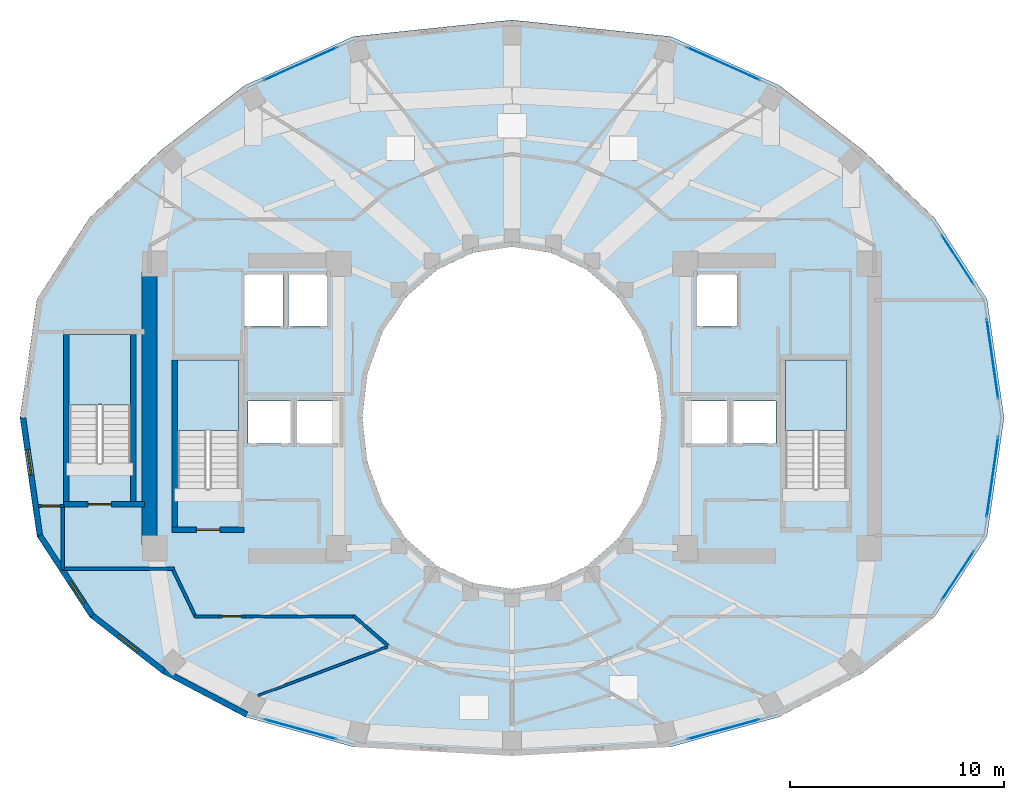
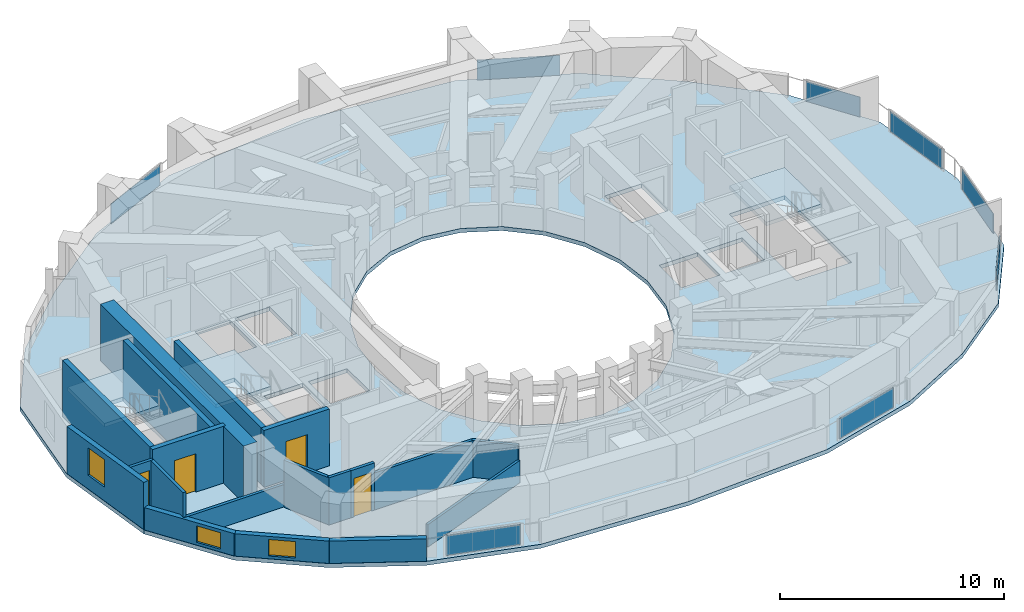
# One storey, part 13 of 20: 19 walls, 8 plates, 4 doors, 4 slabs, 3 windows, 7 openings, 11 elements without a shape of their own.
"""IFC4 building model written with IfcOpenShell, lengths in metres."""

from ifc_helpers import new_model, si_unit, direction, frame, frame_2d, origin, origin_2d, place, context, subcontext, project, spatial, polyline, rectangle, outline, extrude, material, layer, layer_set, type_object, element, fill, aggregate, save


model = new_model("IFC4")

# Units and contexts
model_context = context("Model", 3, precision=1e-05, world=origin(), true_north=direction((0.0, 1.0)))
body_context = subcontext(model_context, "Body", "Model", "MODEL_VIEW")
ifc_project = project(units=[si_unit("LENGTHUNIT", "METRE"), si_unit("AREAUNIT", "SQUARE_METRE"), si_unit("VOLUMEUNIT", "CUBIC_METRE"), si_unit("PLANEANGLEUNIT", "RADIAN"), si_unit("MASSUNIT", "GRAM", prefix="KILO")], contexts=[model_context])

# Site, building, storey
site_placement = place(None, origin())
site = spatial("IfcSite", under=ifc_project, at=site_placement, CompositionType="ELEMENT")
building_placement = place(site_placement, origin())
building = spatial("IfcBuilding", under=site, at=building_placement, Name="Solvane Sanctuary Tower", CompositionType="ELEMENT")
storey_placement = place(building_placement, frame((0.0, 0.0, 159.10009765625)))
storey = spatial("IfcBuildingStorey", under=building, at=storey_placement, Name="L48", CompositionType="ELEMENT", Elevation=159.10009765625)

# Curtain wall, plate
ifc_material_1 = material(Name="Anodised Aluminium 6063-T6", Category="aluminium")
ifc_layer_1 = layer(ifc_material_1, 0.2099609375, Name="Anodised Aluminium 6063-T6")
ifc_layer_set_1 = layer_set([ifc_layer_1], Name="Anodised Aluminium 6063-T6")
curtain_wall_type_1 = type_object("IfcCurtainWallType", Name="Curtain Wall CW-PORTAL", PredefinedType="NOTDEFINED", material=ifc_layer_set_1)
curtain_wall_1_placement = place(storey_placement, origin())
curtain_wall_1 = element("IfcCurtainWall", 1, at=curtain_wall_1_placement, inside=storey, type_object=curtain_wall_type_1, Name="L48 CW-PORTAL Facade Run 00", PredefinedType="NOTDEFINED")
ifc_material_2 = material(Name="Dark Ceramic-Fritted Low-E Glass", Category="glass")
ifc_layer_2 = layer(ifc_material_2, 0.031982421875, Name="Dark Ceramic-Fritted Low-E Glass")
ifc_layer_set_2 = layer_set([ifc_layer_2], Name="Dark Ceramic-Fritted Low-E Glass")
plate_type = type_object("IfcPlateType", Name="Plate PN-FRIT-VIS", PredefinedType="CURTAIN_PANEL", material=ifc_layer_set_2)
plate_1_placement = place(storey_placement, frame((54.465087890625, 25.748291015625, 0.06494140625), z_axis=(0.0, 0.0, 1.0), x_axis=(-0.142247806053, 0.989831077342, 0.0)))
plate_1 = element("IfcPlate", 2, at=plate_1_placement, type_object=plate_type, Name="CW-PORTAL panel 1.1", PredefinedType="CURTAIN_PANEL", context=body_context, shape_type="SweptSolid", body=[
    extrude(rectangle(XDim=3.762939453125, YDim=0.031982421875, at=origin_2d()), origin(), (0.0, 0.0, 1.0), 1.090087890625),
])
aggregate(curtain_wall_1, [plate_1])

curtain_wall_2_placement = place(storey_placement, origin())
curtain_wall_2 = element("IfcCurtainWall", 3, at=curtain_wall_2_placement, inside=storey, type_object=curtain_wall_type_1, Name="L48 CW-PORTAL Facade Run 01", PredefinedType="NOTDEFINED")
plate_2_placement = place(storey_placement, frame((52.8447265625, 30.39013671875, 0.06494140625), z_axis=(0.0, 0.0, 1.0), x_axis=(-0.543340806728, 0.839512220128, 0.0)))
plate_2 = element("IfcPlate", 4, at=plate_2_placement, type_object=plate_type, Name="CW-PORTAL panel 1.1", PredefinedType="CURTAIN_PANEL", context=body_context, shape_type="SweptSolid", body=[
    extrude(rectangle(XDim=2.72119140625, YDim=0.031982421875, at=origin_2d()), origin(), (0.0, 0.0, 1.0), 1.090087890625),
])
aggregate(curtain_wall_2, [plate_2])

ifc_layer_3 = layer(ifc_material_1, 0.179931640625, Name="Anodised Aluminium 6063-T6")
ifc_layer_set_3 = layer_set([ifc_layer_3], Name="Anodised Aluminium 6063-T6")
curtain_wall_type_2 = type_object("IfcCurtainWallType", Name="Curtain Wall CW-FRIT-Z2", PredefinedType="NOTDEFINED", material=ifc_layer_set_3)
curtain_wall_3_placement = place(storey_placement, origin())
curtain_wall_3 = element("IfcCurtainWall", 5, at=curtain_wall_3_placement, inside=storey, type_object=curtain_wall_type_2, Name="L48 CW-FRIT-Z2 Facade Run 04", PredefinedType="NOTDEFINED")
plate_3_placement = place(storey_placement, frame((41.88916015625, 39.552001953125, 0.06494140625), z_axis=(0.0, 0.0, 1.0), x_axis=(-0.912350220676, 0.409410643281, 0.0)))
plate_3 = element("IfcPlate", 6, at=plate_3_placement, type_object=plate_type, Name="CW-FRIT-Z2 panel 1.1", PredefinedType="CURTAIN_PANEL", context=body_context, shape_type="SweptSolid", body=[
    extrude(rectangle(XDim=3.742919921875, YDim=0.031982421875, at=origin_2d()), origin(), (0.0, 0.0, 1.0), 1.090087890625),
])
aggregate(curtain_wall_3, [plate_3])

curtain_wall_4_placement = place(storey_placement, origin())
curtain_wall_4 = element("IfcCurtainWall", 7, at=curtain_wall_4_placement, inside=storey, type_object=curtain_wall_type_2, Name="L48 CW-FRIT-Z2 Facade Run 07", PredefinedType="NOTDEFINED")
plate_4_placement = place(storey_placement, frame((22.11083984375, 39.552001953125, 0.06494140625), z_axis=(0.0, 0.0, 1.0), x_axis=(-0.912350220676, -0.409410643281, 0.0)))
plate_4 = element("IfcPlate", 8, at=plate_4_placement, type_object=plate_type, Name="CW-FRIT-Z2 panel 1.1", PredefinedType="CURTAIN_PANEL", context=body_context, shape_type="SweptSolid", body=[
    extrude(rectangle(XDim=3.742919921875, YDim=0.031982421875, at=origin_2d()), origin(), (0.0, 0.0, 1.0), 1.090087890625),
])
aggregate(curtain_wall_4, [plate_4])

curtain_wall_5_placement = place(storey_placement, origin())
curtain_wall_5 = element("IfcCurtainWall", 9, at=curtain_wall_5_placement, inside=storey, type_object=curtain_wall_type_2, Name="L48 CW-FRIT-Z2 Facade Run 16", PredefinedType="NOTDEFINED")
plate_5_placement = place(storey_placement, frame((22.11083984375, 8.43994140625, 0.06494140625), z_axis=(0.0, 0.0, 1.0), x_axis=(0.963967053183, -0.266021653965, 0.0)))
plate_5 = element("IfcPlate", 10, at=plate_5_placement, type_object=plate_type, Name="CW-FRIT-Z2 panel 1.1", PredefinedType="CURTAIN_PANEL", context=body_context, shape_type="SweptSolid", body=[
    extrude(rectangle(XDim=3.44677734375, YDim=0.031982421875, at=origin_2d()), origin(), (0.0, 0.0, 1.0), 1.090087890625),
])
aggregate(curtain_wall_5, [plate_5])

curtain_wall_6_placement = place(storey_placement, origin())
curtain_wall_6 = element("IfcCurtainWall", 11, at=curtain_wall_6_placement, inside=storey, type_object=curtain_wall_type_2, Name="L48 CW-FRIT-Z2 Facade Run 19", PredefinedType="NOTDEFINED")
plate_6_placement = place(storey_placement, frame((41.88916015625, 8.43994140625, 0.06494140625), z_axis=(0.0, 0.0, 1.0), x_axis=(0.963967053183, 0.266021653965, 0.0)))
plate_6 = element("IfcPlate", 12, at=plate_6_placement, type_object=plate_type, Name="CW-FRIT-Z2 panel 1.1", PredefinedType="CURTAIN_PANEL", context=body_context, shape_type="SweptSolid", body=[
    extrude(rectangle(XDim=3.44677734375, YDim=0.031982421875, at=origin_2d()), origin(), (0.0, 0.0, 1.0), 1.090087890625),
])
aggregate(curtain_wall_6, [plate_6])

curtain_wall_7_placement = place(storey_placement, origin())
curtain_wall_7 = element("IfcCurtainWall", 13, at=curtain_wall_7_placement, inside=storey, type_object=curtain_wall_type_1, Name="L48 CW-PORTAL Facade Run 22", PredefinedType="NOTDEFINED")
plate_7_placement = place(storey_placement, frame((52.8447265625, 15.630126953125, 0.06494140625), z_axis=(0.0, 0.0, 1.0), x_axis=(0.547432614507, 0.836849767027, 0.0)))
plate_7 = element("IfcPlate", 14, at=plate_7_placement, type_object=plate_type, Name="CW-PORTAL panel 1.1", PredefinedType="CURTAIN_PANEL", context=body_context, shape_type="SweptSolid", body=[
    extrude(rectangle(XDim=2.6875, YDim=0.031982421875, at=origin_2d()), origin(), (0.0, 0.0, 1.0), 1.090087890625),
])
aggregate(curtain_wall_7, [plate_7])

curtain_wall_8_placement = place(storey_placement, origin())
curtain_wall_8 = element("IfcCurtainWall", 15, at=curtain_wall_8_placement, inside=storey, type_object=curtain_wall_type_1, Name="L48 CW-PORTAL Facade Run 23", PredefinedType="NOTDEFINED")
plate_8_placement = place(storey_placement, frame((54.465087890625, 20.251708984375, 0.06494140625), z_axis=(0.0, 0.0, 1.0), x_axis=(0.142247806053, 0.989831077342, 0.0)))
plate_8 = element("IfcPlate", 16, at=plate_8_placement, type_object=plate_type, Name="CW-PORTAL panel 1.1", PredefinedType="CURTAIN_PANEL", context=body_context, shape_type="SweptSolid", body=[
    extrude(rectangle(XDim=3.762939453125, YDim=0.031982421875, at=origin_2d()), origin(), (0.0, 0.0, 1.0), 1.090087890625),
])
aggregate(curtain_wall_8, [plate_8])

# Stair, slab
ifc_material_3 = material(Name="Concrete C45/55", Category="concrete")
stair_type = type_object("IfcStairType", Name="Stair ST-TOW", PredefinedType="HALF_TURN_STAIR", material=ifc_material_3)
stair_1_placement = place(storey_placement, origin())
stair_1 = element("IfcStair", 17, at=stair_1_placement, inside=storey, type_object=stair_type, Name="L48 Exit Stair ST-1 West Core", PredefinedType="HALF_TURN_STAIR")
ifc_layer_4 = layer(ifc_material_3, 0.199951171875, Name="Concrete C45/55")
ifc_layer_set_4 = layer_set([ifc_layer_4], Name="Concrete C45/55")
slab_type_1 = type_object("IfcSlabType", Name="Slab SL-LAND-180", PredefinedType="LANDING", material=ifc_layer_set_4)
slab_1_placement = place(storey_placement, frame((0.0, 0.0, 1.349853515625)))
slab_1 = element("IfcSlab", 18, at=slab_1_placement, type_object=slab_type_1, Name="ST-1 landing 1", PredefinedType="LANDING", context=body_context, shape_type="SweptSolid", body=[
    extrude(outline(polyline([(19.219970703125, 22.39990234375), (19.219970703125, 25.699951171875), (16.360107421875, 25.699951171875), (16.360107421875, 22.39990234375), (19.219970703125, 22.39990234375)])), origin(), (0.0, 0.0, 1.0), 0.199951171875),
])
aggregate(stair_1, [slab_1])

stair_2_placement = place(storey_placement, origin())
stair_2 = element("IfcStair", 19, at=stair_2_placement, inside=storey, type_object=stair_type, Name="L48 Exit Stair ST-2 East Core", PredefinedType="HALF_TURN_STAIR")
slab_2_placement = place(storey_placement, frame((0.0, 0.0, 1.349853515625)))
slab_2 = element("IfcSlab", 20, at=slab_2_placement, type_object=slab_type_1, Name="ST-2 landing 1", PredefinedType="LANDING", context=body_context, shape_type="SweptSolid", body=[
    extrude(outline(polyline([(47.639892578125, 22.39990234375), (47.639892578125, 25.699951171875), (44.780029296875, 25.699951171875), (44.780029296875, 22.39990234375), (47.639892578125, 22.39990234375)])), origin(), (0.0, 0.0, 1.0), 0.199951171875),
])
aggregate(stair_2, [slab_2])

stair_3_placement = place(storey_placement, origin())
stair_3 = element("IfcStair", 21, at=stair_3_placement, inside=storey, type_object=stair_type, Name="L48 Exit Stair ST-3 Pilgrim Tower Stair", PredefinedType="HALF_TURN_STAIR")
slab_3_placement = place(storey_placement, frame((0.0, 0.0, 1.349853515625)))
slab_3 = element("IfcSlab", 22, at=slab_3_placement, type_object=slab_type_1, Name="ST-3 landing 1", PredefinedType="LANDING", context=body_context, shape_type="SweptSolid", body=[
    extrude(outline(polyline([(14.159912109375, 23.60009765625), (14.159912109375, 26.89990234375), (11.300048828125, 26.89990234375), (11.300048828125, 23.60009765625), (14.159912109375, 23.60009765625)])), origin(), (0.0, 0.0, 1.0), 0.199951171875),
])
aggregate(stair_3, [slab_3])

# Slab
ifc_layer_5 = layer(ifc_material_3, 0.219970703125, Name="Concrete C45/55")
ifc_layer_set_5 = layer_set([ifc_layer_5], Name="Concrete C45/55")
slab_type_2 = type_object("IfcSlabType", Name="Slab SL-TOW-220", PredefinedType="FLOOR", material=ifc_layer_set_5)
slab_4_placement = place(storey_placement, frame((0.0, 0.0, -0.22021484375)))
element("IfcSlab", 23, at=slab_4_placement, inside=storey, type_object=slab_type_2, Name="L48 Primary Structural Slab", PredefinedType="FLOOR", context=body_context, shape_type="SweptSolid", body=[
    extrude(outline(polyline([(55.0, 23.0), (54.205322265625, 28.54150390625), (51.7392578125, 32.360107421875), (48.368896484375, 35.54345703125), (44.489013671875, 38.5458984375), (39.410400390625, 40.82958984375), (32.0, 41.60009765625), (24.589599609375, 40.82958984375), (19.510986328125, 38.5458984375), (15.631103515625, 35.54345703125), (12.2607421875, 32.360107421875), (9.794677734375, 28.54150390625), (9.0, 23.0), (9.794677734375, 17.45849609375), (12.2607421875, 13.6806640625), (15.631103515625, 11.061279296875), (19.510986328125, 9.022705078125), (24.589599609375, 7.6181640625), (32.0, 7.199951171875), (39.410400390625, 7.6181640625), (44.489013671875, 9.022705078125), (48.368896484375, 11.061279296875), (51.7392578125, 13.6806640625), (54.205322265625, 17.45849609375), (55.0, 23.0)]), holes=[polyline([(38.761474609375, 20.929443359375), (38.062255859375, 19.0), (36.94970703125, 17.343017578125), (35.5, 16.07177734375), (33.811767578125, 15.272705078125), (32.0, 15.0), (30.188232421875, 15.272705078125), (28.5, 16.07177734375), (27.05029296875, 17.343017578125), (25.937744140625, 19.0), (25.238525390625, 20.929443359375), (25.0, 23.0), (25.238525390625, 25.070556640625), (25.937744140625, 27.0), (27.05029296875, 28.656982421875), (28.5, 29.92822265625), (30.188232421875, 30.727294921875), (32.0, 31.0), (33.811767578125, 30.727294921875), (35.5, 29.92822265625), (36.94970703125, 28.656982421875), (38.062255859375, 27.0), (38.761474609375, 25.070556640625), (39.0, 23.0), (38.761474609375, 20.929443359375)]), polyline([(16.360107421875, 19.699951171875), (16.360107421875, 25.699951171875), (19.219970703125, 25.699951171875), (19.219970703125, 19.699951171875), (16.360107421875, 19.699951171875)]), polyline([(44.780029296875, 19.699951171875), (44.780029296875, 25.699951171875), (47.639892578125, 25.699951171875), (47.639892578125, 19.699951171875), (44.780029296875, 19.699951171875)]), polyline([(11.300048828125, 20.89990234375), (11.300048828125, 26.89990234375), (14.159912109375, 26.89990234375), (14.159912109375, 20.89990234375), (11.300048828125, 20.89990234375)]), polyline([(19.64990234375, 23.800048828125), (21.64990234375, 23.800048828125), (21.64990234375, 21.800048828125), (19.64990234375, 21.800048828125), (19.64990234375, 23.800048828125)]), polyline([(42.35009765625, 23.800048828125), (44.35009765625, 23.800048828125), (44.35009765625, 21.800048828125), (42.35009765625, 21.800048828125), (42.35009765625, 23.800048828125)]), polyline([(21.949951171875, 23.800048828125), (23.949951171875, 23.800048828125), (23.949951171875, 21.800048828125), (21.949951171875, 21.800048828125), (21.949951171875, 23.800048828125)]), polyline([(40.050048828125, 23.800048828125), (42.050048828125, 23.800048828125), (42.050048828125, 21.800048828125), (40.050048828125, 21.800048828125), (40.050048828125, 23.800048828125)]), polyline([(19.5, 29.699951171875), (21.300048828125, 29.699951171875), (21.300048828125, 27.300048828125), (19.5, 27.300048828125), (19.5, 29.699951171875)]), polyline([(21.550048828125, 29.699951171875), (23.35009765625, 29.699951171875), (23.35009765625, 27.300048828125), (21.550048828125, 27.300048828125), (21.550048828125, 29.699951171875)]), polyline([(40.64990234375, 29.699951171875), (42.550048828125, 29.699951171875), (42.550048828125, 27.300048828125), (40.64990234375, 27.300048828125), (40.64990234375, 29.699951171875)])]), origin(), (0.0, 0.0, 1.0), 0.22021484375),
])

# Wall
ifc_material_4 = material(Name="Concrete C60/75", Category="concrete")
ifc_layer_6 = layer(ifc_material_4, 0.699951171875, Name="Concrete C60/75")
ifc_layer_set_6 = layer_set([ifc_layer_6], Name="Concrete C60/75")
wall_type_1 = type_object("IfcWallType", Name="Wall W-CORE-700", PredefinedType="SHEAR", material=ifc_layer_set_6)
wall_1_placement = place(storey_placement, frame((15.050048828125, 17.050048828125, 0.0), z_axis=(0.0, 0.0, 1.0), x_axis=(0.0, 1.0, 0.0)))
element("IfcWall", 24, at=wall_1_placement, inside=storey, type_object=wall_type_1, Name="L48 Core Shear Wall WC-W", PredefinedType="SHEAR", context=body_context, shape_type="SweptSolid", body=[
    extrude(rectangle(XDim=12.800048828125, YDim=0.699951171875, at=frame_2d((6.39990234375, 0.0))), origin(), (0.0, 0.0, 1.0), 3.099853515625),
])

# Wall, opening, door
ifc_material_5 = material(Name="Acoustic Gypsum Partition Board")
ifc_layer_7 = layer(ifc_material_5, 0.14990234375, Name="Acoustic Gypsum Partition Board")
ifc_layer_set_7 = layer_set([ifc_layer_7], Name="Acoustic Gypsum Partition Board")
wall_type_2 = type_object("IfcWallType", Name="Wall W-CORR-150", PredefinedType="PARTITIONING", material=ifc_layer_set_7)
wall_2_placement = place(storey_placement, frame((9.869873046875, 18.8798828125, 0.0), z_axis=(0.0, 0.0, 1.0), x_axis=(1.0, 0.0, 0.0)))
wall_2 = element("IfcWall", 25, at=wall_2_placement, inside=storey, type_object=wall_type_2, Name="L48 SW Corner Closer 1", PredefinedType="PARTITIONING", context=body_context, shape_type="SweptSolid", body=[
    extrude(rectangle(XDim=1.170166015625, YDim=0.14990234375, at=frame_2d((0.5849609375, 0.0))), origin(), (0.0, 0.0, 1.0), 2.574951171875),
])
opening_1_placement = place(wall_2_placement, frame((0.139892578125, 0.0, 0.0)))
opening_1 = element("IfcOpeningElement", 26, at=opening_1_placement, cuts=wall_2, Name="Opening D-L48-14", PredefinedType="OPENING", context=body_context, shape_type="SweptSolid", body=[
    extrude(rectangle(XDim=0.85009765625, YDim=2.050048828125, at=frame_2d((0.425048828125, 1.02490234375))), frame((0.0, 0.0849609375, 0.0), z_axis=(0.0, -1.0, 0.0), x_axis=(1.0, 0.0, 0.0)), (0.0, 0.0, 1.0), 0.169921875),
])
ifc_material_6 = material(Name="Architectural Stainless Steel 316", Category="steel")
door_type_1 = type_object("IfcDoorType", Name="Door D-RISER", OperationType="NOTDEFINED", PredefinedType="DOOR", material=ifc_material_6)
door_1_placement = place(opening_1_placement, origin())
door_1 = element("IfcDoor", 27, at=door_1_placement, inside=storey, type_object=door_type_1, Name="L48 West Lookout Study Door", OperationType="SINGLE_SWING_LEFT", OverallHeight=2.050048828125, OverallWidth=0.85009765625, PredefinedType="DOOR", context=body_context, shape_type="SweptSolid", body=[
    extrude(rectangle(XDim=0.85009765625, YDim=2.050048828125, at=frame_2d((0.425048828125, 1.02490234375))), frame((0.0, 0.02490234375, 0.0), z_axis=(0.0, -1.0, 0.0), x_axis=(1.0, 0.0, 0.0)), (0.0, 0.0, 1.0), 0.050048828125),
])
fill(opening_1, door_1)

# Walls
wall_3_placement = place(storey_placement, frame((11.0, 15.909912109375, 0.0), z_axis=(0.0, 0.0, 1.0), x_axis=(0.0, 1.0, 0.0)))
element("IfcWall", 28, at=wall_3_placement, inside=storey, type_object=wall_type_2, Name="L48 SW Corner Closer 2", PredefinedType="PARTITIONING", context=body_context, shape_type="SweptSolid", body=[
    extrude(rectangle(XDim=3.010009765625, YDim=0.14990234375, at=frame_2d((1.5048828125, 0.0))), origin(), (0.0, 0.0, 1.0), 2.574951171875),
])
wall_4_placement = place(storey_placement, frame((10.9599609375, 15.949951171875, 0.0), z_axis=(0.0, 0.0, 1.0), x_axis=(1.0, 0.0, 0.0)))
element("IfcWall", 29, at=wall_4_placement, inside=storey, type_object=wall_type_2, Name="L48 SW Corner Closer 3", PredefinedType="PARTITIONING", context=body_context, shape_type="SweptSolid", body=[
    extrude(rectangle(XDim=5.260009765625, YDim=0.14990234375, at=frame_2d((2.6298828125, 0.0))), origin(), (0.0, 0.0, 1.0), 1.219970703125),
])
wall_5_placement = place(storey_placement, frame((26.193359375, 12.35791015625, 0.0), z_axis=(0.0, 0.0, 1.0), x_axis=(-0.756055312247, 0.654507727092, 0.0)))
element("IfcWall", 30, at=wall_5_placement, inside=storey, type_object=wall_type_2, Name="L48 SW Corner Throat Wall", PredefinedType="PARTITIONING", context=body_context, shape_type="SweptSolid", body=[
    extrude(rectangle(XDim=2.11083984375, YDim=0.14990234375, at=frame_2d((1.055419921875, 0.0))), origin(), (0.0, 0.0, 1.0), 2.018798828125),
])
wall_6_placement = place(storey_placement, frame((17.14990234375, 13.719970703125, 0.0), z_axis=(0.0, 0.0, 1.0), x_axis=(1.0, 0.0, 0.0)))
element("IfcWall", 31, at=wall_6_placement, inside=storey, type_object=wall_type_2, Name="L48 SW Corner Corridor Wall", PredefinedType="PARTITIONING", context=body_context, shape_type="SweptSolid", body=[
    extrude(rectangle(XDim=1.14013671875, YDim=0.14990234375, at=frame_2d((0.570068359375, 0.0))), origin(), (0.0, 0.0, 1.0), 2.574951171875),
])

# Wall, opening, door
wall_7_placement = place(storey_placement, frame((18.2900390625, 13.719970703125, 0.0), z_axis=(0.0, 0.0, 1.0), x_axis=(1.0, 0.0, 0.0)))
wall_7 = element("IfcWall", 32, at=wall_7_placement, inside=storey, type_object=wall_type_2, Name="L48 SW Corner Corridor Wall", PredefinedType="PARTITIONING", context=body_context, shape_type="SweptSolid", body=[
    extrude(rectangle(XDim=1.219970703125, YDim=0.14990234375, at=frame_2d((0.60986328125, 0.0))), origin(), (0.0, 0.0, 1.0), 2.574951171875),
])
opening_2_placement = place(wall_7_placement, frame((0.159912109375, 0.0, 0.0)))
opening_2 = element("IfcOpeningElement", 33, at=opening_2_placement, cuts=wall_7, Name="Opening D-L48-15", PredefinedType="OPENING", context=body_context, shape_type="SweptSolid", body=[
    extrude(rectangle(XDim=0.89990234375, YDim=2.10009765625, at=frame_2d((0.449951171875, 1.050048828125))), frame((0.0, 0.0849609375, 0.0), z_axis=(0.0, -1.0, 0.0), x_axis=(1.0, 0.0, 0.0)), (0.0, 0.0, 1.0), 0.169921875),
])
ifc_material_7 = material(Name="Engineered Tropical Hardwood", Category="wood")
door_type_2 = type_object("IfcDoorType", Name="Door D-WET-900", OperationType="NOTDEFINED", PredefinedType="DOOR", material=ifc_material_7)
door_2_placement = place(opening_2_placement, origin())
door_2 = element("IfcDoor", 34, at=door_2_placement, inside=storey, type_object=door_type_2, Name="L48 SW Corner Salon Door", OperationType="SINGLE_SWING_RIGHT", OverallHeight=2.10009765625, OverallWidth=0.89990234375, PredefinedType="DOOR", context=body_context, shape_type="SweptSolid", body=[
    extrude(rectangle(XDim=0.89990234375, YDim=2.10009765625, at=frame_2d((0.449951171875, 1.050048828125))), frame((0.0, 0.02490234375, 0.0), z_axis=(0.0, -1.0, 0.0), x_axis=(1.0, 0.0, 0.0)), (0.0, 0.0, 1.0), 0.050048828125),
])
fill(opening_2, door_2)

# Walls
wall_8_placement = place(storey_placement, frame((19.510009765625, 13.719970703125, 0.0), z_axis=(0.0, 0.0, 1.0), x_axis=(1.0, 0.0, 0.0)))
element("IfcWall", 35, at=wall_8_placement, inside=storey, type_object=wall_type_2, Name="L48 SW Corner Corridor Wall", PredefinedType="PARTITIONING", context=body_context, shape_type="SweptSolid", body=[
    extrude(rectangle(XDim=5.159912109375, YDim=0.14990234375, at=frame_2d((2.580078125, 0.0))), origin(), (0.0, 0.0, 1.0), 2.018798828125),
])
wall_9_placement = place(storey_placement, frame((17.2216796875, 13.6748046875, 0.0), z_axis=(0.0, 0.0, 1.0), x_axis=(-0.431973389813, 0.901886351207, 0.0)))
element("IfcWall", 36, at=wall_9_placement, inside=storey, type_object=wall_type_2, Name="L48 SW Corner Wing Wall", PredefinedType="PARTITIONING", context=body_context, shape_type="SweptSolid", body=[
    extrude(rectangle(XDim=2.45166015625, YDim=0.14990234375, at=frame_2d((1.225830078125, 0.0))), origin(), (0.0, 0.0, 1.0), 2.574951171875),
])

# Wall, opening, window
ifc_material_8 = material(Name="Precast concrete C40/50", Category="concrete")
ifc_layer_8 = layer(ifc_material_8, 0.260009765625, Name="Precast concrete C40/50")
ifc_layer_set_8 = layer_set([ifc_layer_8], Name="Precast concrete C40/50")
wall_type_3 = type_object("IfcWallType", Name="Wall W-EXT-250", PredefinedType="STANDARD", material=ifc_layer_set_8)
wall_10_placement = place(storey_placement, frame((9.139892578125, 23.0, 0.0), z_axis=(0.0, 0.0, 1.0), x_axis=(0.142227632286, -0.989833976288, 0.0)))
wall_10 = element("IfcWall", 37, at=wall_10_placement, inside=storey, type_object=wall_type_3, Name="L48 Ceramic-Printed Facade Wall 12", PredefinedType="STANDARD", context=body_context, shape_type="SweptSolid", body=[
    extrude(rectangle(XDim=5.552978515625, YDim=0.260009765625, at=frame_2d((2.7763671875, 0.0))), origin(), (0.0, 0.0, 1.0), 2.56982421875),
])
opening_3_placement = place(wall_10_placement, frame((1.506103515625, 0.0, 0.75)))
opening_3 = element("IfcOpeningElement", 38, at=opening_3_placement, cuts=wall_10, Name="Opening WN-OPER-1200", PredefinedType="OPENING", context=body_context, shape_type="SweptSolid", body=[
    extrude(rectangle(XDim=1.199951171875, YDim=1.5, at=frame_2d((0.60009765625, 0.75))), frame((0.0, 0.139892578125, 0.0), z_axis=(0.0, -1.0, 0.0), x_axis=(1.0, 0.0, 0.0)), (0.0, 0.0, 1.0), 0.280029296875),
])
window_type = type_object("IfcWindowType", Name="Window WN-OPER-1200", PartitioningType="SINGLE_PANEL", PredefinedType="WINDOW", material=ifc_material_2)
window_1_placement = place(opening_3_placement, origin())
window_1 = element("IfcWindow", 39, at=window_1_placement, inside=storey, type_object=window_type, Name="L48 Operable Facade Window 12", OverallHeight=1.5, OverallWidth=1.199951171875, PartitioningType="SINGLE_PANEL", PredefinedType="WINDOW", context=body_context, shape_type="SweptSolid", body=[
    extrude(rectangle(XDim=1.199951171875, YDim=1.5, at=frame_2d((0.60009765625, 0.75))), frame((0.0, 0.030029296875, 0.0), z_axis=(0.0, -1.0, 0.0), x_axis=(1.0, 0.0, 0.0)), (0.0, 0.0, 1.0), 0.06005859375),
])
fill(opening_3, window_1)

wall_11_placement = place(storey_placement, frame((9.9296875, 17.50341796875, 0.0), z_axis=(0.0, 0.0, 1.0), x_axis=(0.547456494366, -0.836834145322, 0.0)))
wall_11 = element("IfcWall", 40, at=wall_11_placement, inside=storey, type_object=wall_type_3, Name="L48 Ceramic-Printed Facade Wall 13", PredefinedType="STANDARD", context=body_context, shape_type="SweptSolid", body=[
    extrude(rectangle(XDim=4.477294921875, YDim=0.260009765625, at=frame_2d((2.23876953125, 0.0))), origin(), (0.0, 0.0, 1.0), 1.219970703125),
])
opening_4_placement = place(wall_11_placement, frame((2.59130859375, 0.0, 0.14990234375)))
opening_4 = element("IfcOpeningElement", 41, at=opening_4_placement, cuts=wall_11, Name="Opening WN-OPER-1200", PredefinedType="OPENING", context=body_context, shape_type="SweptSolid", body=[
    extrude(rectangle(XDim=1.199951171875, YDim=0.89990234375, at=frame_2d((0.60009765625, 0.449951171875))), frame((0.0, 0.139892578125, 0.0), z_axis=(0.0, -1.0, 0.0), x_axis=(1.0, 0.0, 0.0)), (0.0, 0.0, 1.0), 0.280029296875),
])
window_2_placement = place(opening_4_placement, origin())
window_2 = element("IfcWindow", 42, at=window_2_placement, inside=storey, type_object=window_type, Name="L48 Operable Facade Window 13", OverallHeight=0.89990234375, OverallWidth=1.199951171875, PartitioningType="SINGLE_PANEL", PredefinedType="WINDOW", context=body_context, shape_type="SweptSolid", body=[
    extrude(rectangle(XDim=1.199951171875, YDim=0.89990234375, at=frame_2d((0.60009765625, 0.449951171875))), frame((0.0, 0.030029296875, 0.0), z_axis=(0.0, -1.0, 0.0), x_axis=(1.0, 0.0, 0.0)), (0.0, 0.0, 1.0), 0.06005859375),
])
fill(opening_4, window_2)

wall_12_placement = place(storey_placement, frame((12.380859375, 13.756591796875, 0.0), z_axis=(0.0, 0.0, 1.0), x_axis=(0.790185650662, -0.612867552973, 0.0)))
wall_12 = element("IfcWall", 43, at=wall_12_placement, inside=storey, type_object=wall_type_3, Name="L48 Ceramic-Printed Facade Wall 14", PredefinedType="STANDARD", context=body_context, shape_type="SweptSolid", body=[
    extrude(rectangle(XDim=4.2392578125, YDim=0.260009765625, at=frame_2d((2.11962890625, 0.0))), origin(), (0.0, 0.0, 1.0), 1.219970703125),
])
opening_5_placement = place(wall_12_placement, frame((1.51953125, 0.0, 0.14990234375)))
opening_5 = element("IfcOpeningElement", 44, at=opening_5_placement, cuts=wall_12, Name="Opening WN-OPER-1200", PredefinedType="OPENING", context=body_context, shape_type="SweptSolid", body=[
    extrude(rectangle(XDim=1.199951171875, YDim=0.89990234375, at=frame_2d((0.60009765625, 0.449951171875))), frame((0.0, 0.139892578125, 0.0), z_axis=(0.0, -1.0, 0.0), x_axis=(1.0, 0.0, 0.0)), (0.0, 0.0, 1.0), 0.280029296875),
])
window_3_placement = place(opening_5_placement, origin())
window_3 = element("IfcWindow", 45, at=window_3_placement, inside=storey, type_object=window_type, Name="L48 Operable Facade Window 14", OverallHeight=0.89990234375, OverallWidth=1.199951171875, PartitioningType="SINGLE_PANEL", PredefinedType="WINDOW", context=body_context, shape_type="SweptSolid", body=[
    extrude(rectangle(XDim=1.199951171875, YDim=0.89990234375, at=frame_2d((0.60009765625, 0.449951171875))), frame((0.0, 0.030029296875, 0.0), z_axis=(0.0, -1.0, 0.0), x_axis=(1.0, 0.0, 0.0)), (0.0, 0.0, 1.0), 0.06005859375),
])
fill(opening_5, window_3)

# Walls
wall_13_placement = place(storey_placement, frame((15.730712890625, 11.158447265625, 0.0), z_axis=(0.0, 0.0, 1.0), x_axis=(0.885660265226, -0.464333818065, 0.0)))
element("IfcWall", 46, at=wall_13_placement, inside=storey, type_object=wall_type_3, Name="L48 Ceramic-Printed Facade Wall 15", PredefinedType="STANDARD", context=body_context, shape_type="SweptSolid", body=[
    extrude(rectangle(XDim=4.35400390625, YDim=0.260009765625, at=frame_2d((2.177001953125, 0.0))), origin(), (0.0, 0.0, 1.0), 1.219970703125),
])
ifc_layer_9 = layer(ifc_material_5, 0.125, Name="Acoustic Gypsum Partition Board")
ifc_layer_set_9 = layer_set([ifc_layer_9], Name="Acoustic Gypsum Partition Board")
wall_type_4 = type_object("IfcWallType", Name="Wall W-PART-125", PredefinedType="PARTITIONING", material=ifc_layer_set_9)
wall_14_placement = place(storey_placement, frame((26.18359375, 12.302490234375, 0.0), z_axis=(0.0, 0.0, 1.0), x_axis=(-0.935601484289, -0.353057874288, 0.0)))
element("IfcWall", 47, at=wall_14_placement, inside=storey, type_object=wall_type_4, Name="L48 Radial Compartment Wall 240", PredefinedType="PARTITIONING", context=body_context, shape_type="SweptSolid", body=[
    extrude(rectangle(XDim=6.484130859375, YDim=0.125, at=frame_2d((3.2421875, 0.0))), origin(), (0.0, 0.0, 1.0), 1.219970703125),
])

# Wall, opening, door
ifc_material_9 = material(Name="Concrete C50/60", Category="concrete")
ifc_layer_10 = layer(ifc_material_9, 0.25, Name="Concrete C50/60")
ifc_layer_set_10 = layer_set([ifc_layer_10], Name="Concrete C50/60")
wall_type_5 = type_object("IfcWallType", Name="Wall W-SHAFT-250", PredefinedType="SOLIDWALL", material=ifc_layer_set_10)
wall_15_placement = place(storey_placement, frame((16.10498046875, 17.77001953125, 0.0), z_axis=(0.0, 0.0, 1.0), x_axis=(1.0, 0.0, 0.0)))
wall_15 = element("IfcWall", 48, at=wall_15_placement, inside=storey, type_object=wall_type_5, Name="L48 ST-1 Load-Bearing Shaft Wall S", PredefinedType="SOLIDWALL", context=body_context, shape_type="SweptSolid", body=[
    extrude(rectangle(XDim=3.3701171875, YDim=0.25, at=frame_2d((1.68505859375, 0.0))), origin(), (0.0, 0.0, 1.0), 3.099853515625),
])
opening_6_placement = place(wall_15_placement, frame((1.135009765625, 0.0, 0.0)))
opening_6 = element("IfcOpeningElement", 49, at=opening_6_placement, cuts=wall_15, Name="Opening D-L48-01", PredefinedType="OPENING", context=body_context, shape_type="SweptSolid", body=[
    extrude(rectangle(XDim=1.10009765625, YDim=2.10009765625, at=frame_2d((0.550048828125, 1.050048828125))), frame((0.0, 0.135009765625, 0.0), z_axis=(0.0, -1.0, 0.0), x_axis=(1.0, 0.0, 0.0)), (0.0, 0.0, 1.0), 0.27001953125),
])
door_type_3 = type_object("IfcDoorType", Name="Door D-STAIR", OperationType="NOTDEFINED", PredefinedType="DOOR", material=ifc_material_6)
door_3_placement = place(opening_6_placement, origin())
door_3 = element("IfcDoor", 50, at=door_3_placement, inside=storey, type_object=door_type_3, Name="L48 ST-1 Exit Stair Fire Door", OperationType="SINGLE_SWING_RIGHT", OverallHeight=2.10009765625, OverallWidth=1.10009765625, PredefinedType="DOOR", context=body_context, shape_type="SweptSolid", body=[
    extrude(rectangle(XDim=1.10009765625, YDim=2.10009765625, at=frame_2d((0.550048828125, 1.050048828125))), frame((0.0, 0.02490234375, 0.0), z_axis=(0.0, -1.0, 0.0), x_axis=(1.0, 0.0, 0.0)), (0.0, 0.0, 1.0), 0.050048828125),
])
fill(opening_6, door_3)

# Wall
wall_16_placement = place(storey_placement, frame((16.22998046875, 17.89501953125, 0.0), z_axis=(0.0, 0.0, 1.0), x_axis=(0.0, 1.0, 0.0)))
element("IfcWall", 51, at=wall_16_placement, inside=storey, type_object=wall_type_5, Name="L48 ST-1 Load-Bearing Shaft Wall W", PredefinedType="SOLIDWALL", context=body_context, shape_type="SweptSolid", body=[
    extrude(rectangle(XDim=7.81005859375, YDim=0.25, at=frame_2d((3.905029296875, 0.0))), origin(), (0.0, 0.0, 1.0), 3.099853515625),
])

# Wall, opening, door
wall_17_placement = place(storey_placement, frame((11.044921875, 18.969970703125, 0.0), z_axis=(0.0, 0.0, 1.0), x_axis=(1.0, 0.0, 0.0)))
wall_17 = element("IfcWall", 52, at=wall_17_placement, inside=storey, type_object=wall_type_5, Name="L48 ST-3 Load-Bearing Shaft Wall S", PredefinedType="SOLIDWALL", context=body_context, shape_type="SweptSolid", body=[
    extrude(rectangle(XDim=3.781982421875, YDim=0.25, at=frame_2d((1.89111328125, 0.0))), origin(), (0.0, 0.0, 1.0), 3.099853515625),
])
opening_7_placement = place(wall_17_placement, frame((1.135009765625, 0.0, 0.0)))
opening_7 = element("IfcOpeningElement", 53, at=opening_7_placement, cuts=wall_17, Name="Opening D-L48-03", PredefinedType="OPENING", context=body_context, shape_type="SweptSolid", body=[
    extrude(rectangle(XDim=1.10009765625, YDim=2.10009765625, at=frame_2d((0.550048828125, 1.050048828125))), frame((0.0, 0.135009765625, 0.0), z_axis=(0.0, -1.0, 0.0), x_axis=(1.0, 0.0, 0.0)), (0.0, 0.0, 1.0), 0.27001953125),
])
door_4_placement = place(opening_7_placement, origin())
door_4 = element("IfcDoor", 54, at=door_4_placement, inside=storey, type_object=door_type_3, Name="L48 ST-3 Exit Stair Fire Door", OperationType="SINGLE_SWING_RIGHT", OverallHeight=2.10009765625, OverallWidth=1.10009765625, PredefinedType="DOOR", context=body_context, shape_type="SweptSolid", body=[
    extrude(rectangle(XDim=1.10009765625, YDim=2.10009765625, at=frame_2d((0.550048828125, 1.050048828125))), frame((0.0, 0.02490234375, 0.0), z_axis=(0.0, -1.0, 0.0), x_axis=(1.0, 0.0, 0.0)), (0.0, 0.0, 1.0), 0.050048828125),
])
fill(opening_7, door_4)

# Walls
for number, where, z_axis, x_axis, name in (
    (55, (11.169921875, 19.094970703125, 0.0), (0.0, 0.0, 1.0), (0.0, 1.0, 0.0), "L48 ST-3 Load-Bearing Shaft Wall W"),
    (56, (14.2900390625, 19.094970703125, 0.0), (0.0, 0.0, 1.0), (0.0, 1.0, 0.0), "L48 ST-3 Load-Bearing Shaft Wall E"),
):
    element("IfcWall", number, at=place(storey_placement, frame(where, z_axis=z_axis, x_axis=x_axis)), inside=storey, type_object=wall_type_5, Name=name, PredefinedType="SOLIDWALL", context=body_context, shape_type="SweptSolid", body=[
        extrude(rectangle(XDim=7.81005859375, YDim=0.25, at=frame_2d((3.905029296875, 0.0))), origin(), (0.0, 0.0, 1.0), 3.099853515625),
    ])

save(model, "model.ifc")
